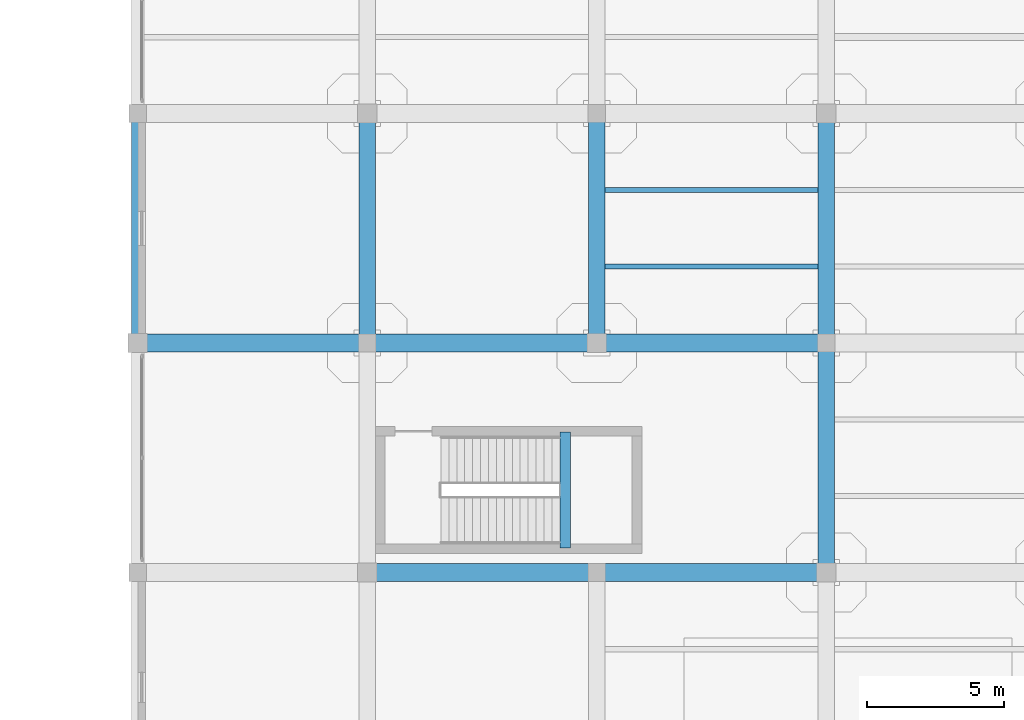
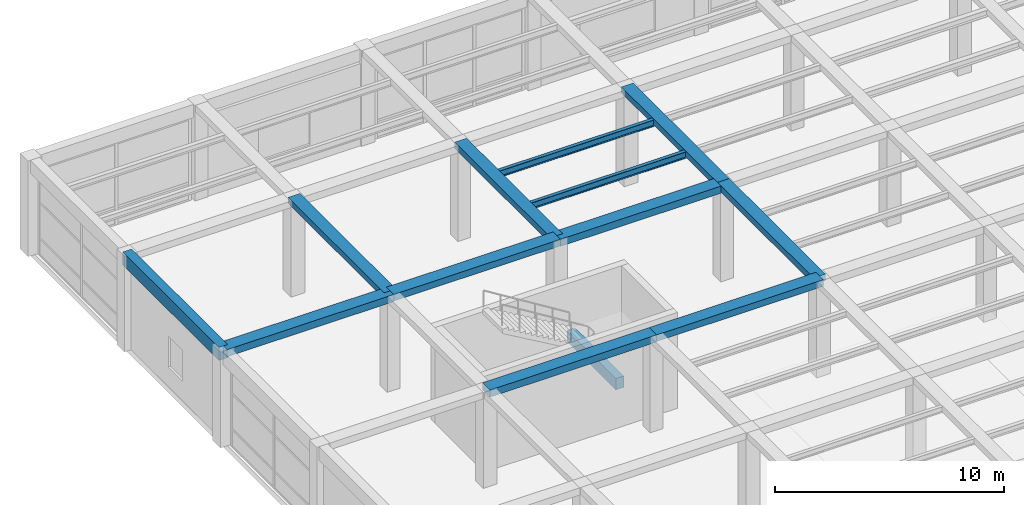
# One storey, part 34 of 96: 13 beams.
"""IFC4 building model written with IfcOpenShell, lengths in metres."""

from ifc_helpers import new_model, si_unit, direction, frame, origin, origin_2d, place, context, subcontext, project, spatial, rectangle, i_section, extrude, material, material_profile, profile_set, type_object, element, save


model = new_model("IFC4")

# Units and contexts
model_context = context("Model", 3, precision=1e-05, world=origin(), true_north=direction((0.0, 1.0)))
body_context = subcontext(model_context, "Body", "Model", "MODEL_VIEW")
ifc_project = project(units=[si_unit("LENGTHUNIT", "METRE"), si_unit("AREAUNIT", "SQUARE_METRE"), si_unit("VOLUMEUNIT", "CUBIC_METRE"), si_unit("PLANEANGLEUNIT", "RADIAN"), si_unit("MASSUNIT", "GRAM", prefix="KILO")], contexts=[model_context])

# Site, building, storey
site_placement = place(None, origin())
site = spatial("IfcSite", under=ifc_project, at=site_placement, CompositionType="ELEMENT")
building_placement = place(site_placement, origin())
building = spatial("IfcBuilding", under=site, at=building_placement, Name="Almacenes y Pasaje Nevantli", CompositionType="ELEMENT")
storey_placement = place(building_placement, frame((0.0, 0.0, 6.0)))
storey = spatial("IfcBuildingStorey", under=building, at=storey_placement, Name="L02", CompositionType="ELEMENT", Elevation=6.0)

# Beams
ifc_material_1 = material(Name="Concrete C35/45", Category="concrete")
ifc_material_profile_1 = material_profile(ifc_material_1, rectangle(XDim=0.39990234375, YDim=0.60009765625, at=origin_2d()), Name="RC-BM-400x600")
ifc_profile_set_1 = profile_set([ifc_material_profile_1], Name="Concrete C35/45")
beam_type_1 = type_object("IfcBeamType", Name="BM-RC-400x600", PredefinedType="SPANDREL", material=ifc_profile_set_1)
beam_1_placement = place(storey_placement, frame((15.64990234375, 93.300048828125, 2.199951171875), z_axis=(0.0, 1.0, 0.0), x_axis=(-1.0, 0.0, 0.0)))
element("IfcBeam", 1, at=beam_1_placement, inside=storey, type_object=beam_type_1, Name="L02 Stair ST-03 Half-Landing Support Beam", PredefinedType="SPANDREL", context=body_context, shape_type="SweptSolid", body=[
    extrude(rectangle(XDim=0.39990234375, YDim=0.60009765625, at=origin_2d()), origin(), (0.0, 0.0, 1.0), 4.25),
])
ifc_material_2 = material(Name="Concrete C35/45", Category="concrete")
ifc_material_profile_2 = material_profile(ifc_material_2, rectangle(XDim=0.449951171875, YDim=0.699951171875, at=origin_2d()), Name="RC-BM-450x700")
ifc_profile_set_2 = profile_set([ifc_material_profile_2], Name="Concrete C35/45")
beam_type_2 = type_object("IfcBeamType", Name="BM-RC-450x700", PredefinedType="SPANDREL", material=ifc_profile_set_2)
beam_2_placement = place(storey_placement, frame((0.0, 100.800048828125, 4.75), z_axis=(0.0, 1.0, 0.0), x_axis=(-1.0, 0.0, 0.0)))
element("IfcBeam", 2, at=beam_2_placement, inside=storey, type_object=beam_type_2, Name="L02 North-South Reinforced Concrete Beam #1975", PredefinedType="SPANDREL", context=body_context, shape_type="SweptSolid", body=[
    extrude(rectangle(XDim=0.449951171875, YDim=0.699951171875, at=origin_2d()), origin(), (0.0, 0.0, 1.0), 8.39990234375),
])
ifc_material_3 = material(Name="Concrete C35/45", Category="concrete")
ifc_material_profile_3 = material_profile(ifc_material_3, rectangle(XDim=0.60009765625, YDim=0.320068359375, at=origin_2d()), Name="RC-BM-600x320")
ifc_profile_set_3 = profile_set([ifc_material_profile_3], Name="Concrete C35/45")
beam_type_3 = type_object("IfcBeamType", Name="BM-RC-600x320", PredefinedType="BEAM", material=ifc_profile_set_3)
for number, where, z_axis, x_axis, name in (
    (3, (8.39990234375, 100.800048828125, 4.93994140625), (0.0, 1.0, 0.0), (-1.0, 0.0, 0.0), "L02 North-South Reinforced Concrete Beam #1986"),
    (4, (25.199951171875, 100.800048828125, 4.93994140625), (0.0, 1.0, 0.0), (-1.0, 0.0, 0.0), "L02 North-South Reinforced Concrete Beam #2009"),
):
    element("IfcBeam", number, at=place(storey_placement, frame(where, z_axis=z_axis, x_axis=x_axis)), inside=storey, type_object=beam_type_3, Name=name, PredefinedType="BEAM", context=body_context, shape_type="SweptSolid", body=[
        extrude(rectangle(XDim=0.60009765625, YDim=0.320068359375, at=origin_2d()), origin(), (0.0, 0.0, 1.0), 8.39990234375),
    ])
ifc_material_4 = material(Name="Concrete C35/45", Category="concrete")
ifc_material_profile_4 = material_profile(ifc_material_4, rectangle(XDim=0.60009765625, YDim=0.340087890625, at=origin_2d()), Name="RC-BM-600x340")
ifc_profile_set_4 = profile_set([ifc_material_profile_4], Name="Concrete C35/45")
beam_type_4 = type_object("IfcBeamType", Name="BM-RC-600x340", PredefinedType="BEAM", material=ifc_profile_set_4)
beam_3_placement = place(storey_placement, frame((16.800048828125, 100.800048828125, 4.929931640625), z_axis=(0.0, 1.0, 0.0), x_axis=(-1.0, 0.0, 0.0)))
element("IfcBeam", 5, at=beam_3_placement, inside=storey, type_object=beam_type_4, Name="L02 North-South Reinforced Concrete Beam #1995", PredefinedType="BEAM", context=body_context, shape_type="SweptSolid", body=[
    extrude(rectangle(XDim=0.60009765625, YDim=0.340087890625, at=origin_2d()), origin(), (0.0, 0.0, 1.0), 8.39990234375),
])
beam_4_placement = place(storey_placement, frame((25.199951171875, 92.39990234375, 4.929931640625), z_axis=(0.0, 1.0, 0.0), x_axis=(-1.0, 0.0, 0.0)))
element("IfcBeam", 6, at=beam_4_placement, inside=storey, type_object=beam_type_4, Name="L02 North-South Reinforced Concrete Beam #2008", PredefinedType="BEAM", context=body_context, shape_type="SweptSolid", body=[
    extrude(rectangle(XDim=0.60009765625, YDim=0.340087890625, at=origin_2d()), origin(), (0.0, 0.0, 1.0), 8.400146484375),
])
ifc_material_5 = material(Name="Concrete C35/45", Category="concrete")
ifc_material_profile_5 = material_profile(ifc_material_5, rectangle(XDim=0.64990234375, YDim=0.35009765625, at=origin_2d()), Name="RC-BM-650x350")
ifc_profile_set_5 = profile_set([ifc_material_profile_5], Name="Concrete C35/45")
beam_type_5 = type_object("IfcBeamType", Name="BM-RC-650x350", PredefinedType="BEAM", material=ifc_profile_set_5)
beam_5_placement = place(storey_placement, frame((16.800048828125, 92.39990234375, 4.925048828125), z_axis=(1.0, 0.0, 0.0), x_axis=(0.0, 1.0, 0.0)))
element("IfcBeam", 7, at=beam_5_placement, inside=storey, type_object=beam_type_5, Name="L02 East-West Reinforced Concrete Beam #1897", PredefinedType="BEAM", context=body_context, shape_type="SweptSolid", body=[
    extrude(rectangle(XDim=0.64990234375, YDim=0.35009765625, at=origin_2d()), origin(), (0.0, 0.0, 1.0), 8.39990234375),
])
beam_6_placement = place(storey_placement, frame((8.39990234375, 100.800048828125, 4.925048828125), z_axis=(1.0, 0.0, 0.0), x_axis=(0.0, 1.0, 0.0)))
element("IfcBeam", 8, at=beam_6_placement, inside=storey, type_object=beam_type_5, Name="L02 East-West Reinforced Concrete Beam #1913", PredefinedType="BEAM", context=body_context, shape_type="SweptSolid", body=[
    extrude(rectangle(XDim=0.64990234375, YDim=0.35009765625, at=origin_2d()), origin(), (0.0, 0.0, 1.0), 8.400146484375),
])
ifc_material_6 = material(Name="Concrete C35/45", Category="concrete")
ifc_material_profile_6 = material_profile(ifc_material_6, rectangle(XDim=0.64990234375, YDim=0.3798828125, at=origin_2d()), Name="RC-BM-650x380")
ifc_profile_set_6 = profile_set([ifc_material_profile_6], Name="Concrete C35/45")
beam_type_6 = type_object("IfcBeamType", Name="BM-RC-650x380", PredefinedType="BEAM", material=ifc_profile_set_6)
beam_7_placement = place(storey_placement, frame((8.39990234375, 92.39990234375, 4.909912109375), z_axis=(1.0, 0.0, 0.0), x_axis=(0.0, 1.0, 0.0)))
element("IfcBeam", 9, at=beam_7_placement, inside=storey, type_object=beam_type_6, Name="L02 East-West Reinforced Concrete Beam #1896", PredefinedType="BEAM", context=body_context, shape_type="SweptSolid", body=[
    extrude(rectangle(XDim=0.64990234375, YDim=0.3798828125, at=origin_2d()), origin(), (0.0, 0.0, 1.0), 8.400146484375),
])
for number, where, z_axis, x_axis, name in (
    (10, (0.0, 100.800048828125, 4.909912109375), (1.0, 0.0, 0.0), (0.0, 1.0, 0.0), "L02 East-West Reinforced Concrete Beam #1912"),
    (11, (16.800048828125, 100.800048828125, 4.909912109375), (1.0, 0.0, 0.0), (0.0, 1.0, 0.0), "L02 East-West Reinforced Concrete Beam #1914"),
):
    element("IfcBeam", number, at=place(storey_placement, frame(where, z_axis=z_axis, x_axis=x_axis)), inside=storey, type_object=beam_type_6, Name=name, PredefinedType="BEAM", context=body_context, shape_type="SweptSolid", body=[
        extrude(rectangle(XDim=0.64990234375, YDim=0.3798828125, at=origin_2d()), origin(), (0.0, 0.0, 1.0), 8.39990234375),
    ])
ifc_material_7 = material(Name="Steel ASTM A992", Category="steel")
ifc_material_profile_7 = material_profile(ifc_material_7, i_section(OverallWidth=0.173095703125, OverallDepth=0.35302734375, WebThickness=0.0078125, FlangeThickness=0.01318359375, at=origin_2d()), Name="IR 356x56.6")
ifc_profile_set_7 = profile_set([ifc_material_profile_7], Name="Steel ASTM A992")
beam_type_7 = type_object("IfcBeamType", Name="BM-STL-IR-356x56p6", PredefinedType="JOIST", material=ifc_profile_set_7)
for number, where, z_axis, x_axis, name in (
    (12, (17.10009765625, 103.60009765625, 4.91552734375), (1.0, 0.0, 0.0), (0.0, 1.0, 0.0), "L02 Secondary Steel Floor Joist #355"),
    (13, (17.10009765625, 106.39990234375, 4.91552734375), (1.0, 0.0, 0.0), (0.0, 1.0, 0.0), "L02 Secondary Steel Floor Joist #356"),
):
    element("IfcBeam", number, at=place(storey_placement, frame(where, z_axis=z_axis, x_axis=x_axis)), inside=storey, type_object=beam_type_7, Name=name, PredefinedType="JOIST", context=body_context, shape_type="SweptSolid", body=[
        extrude(i_section(OverallWidth=0.173095703125, OverallDepth=0.35302734375, WebThickness=0.0078125, FlangeThickness=0.01318359375, at=origin_2d()), origin(), (0.0, 0.0, 1.0), 7.7998046875),
    ])

save(model, "model.ifc")
